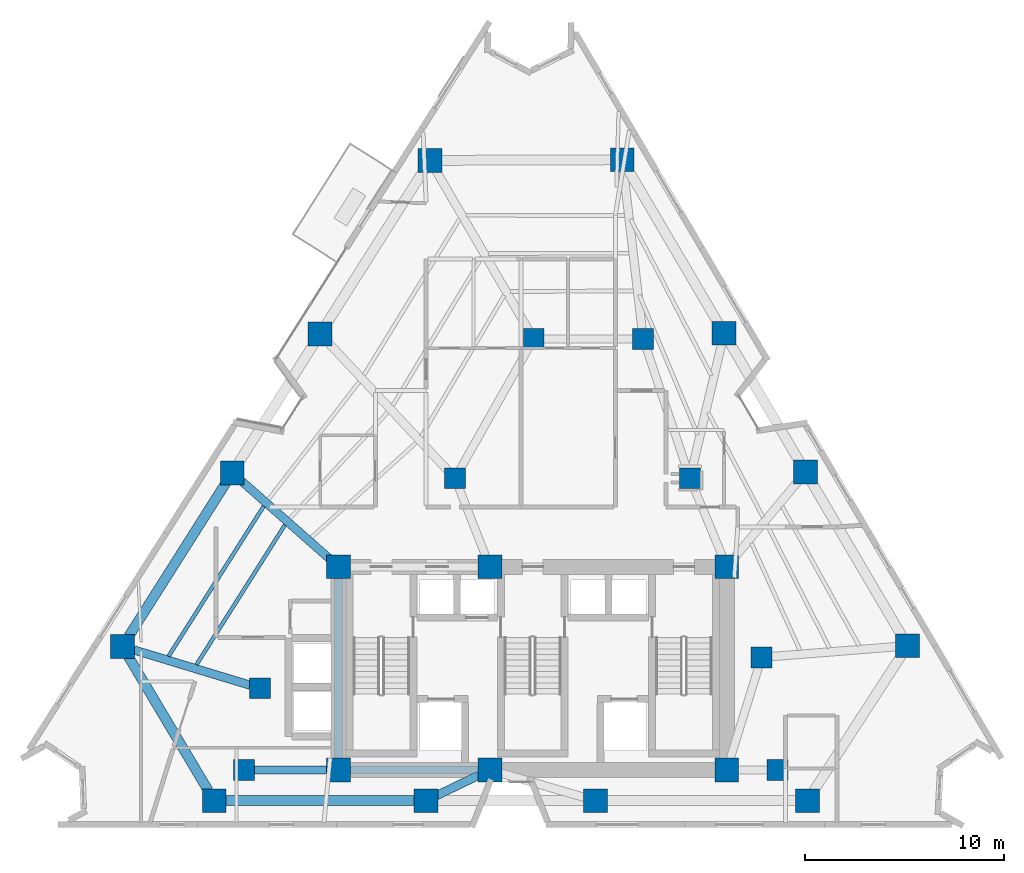
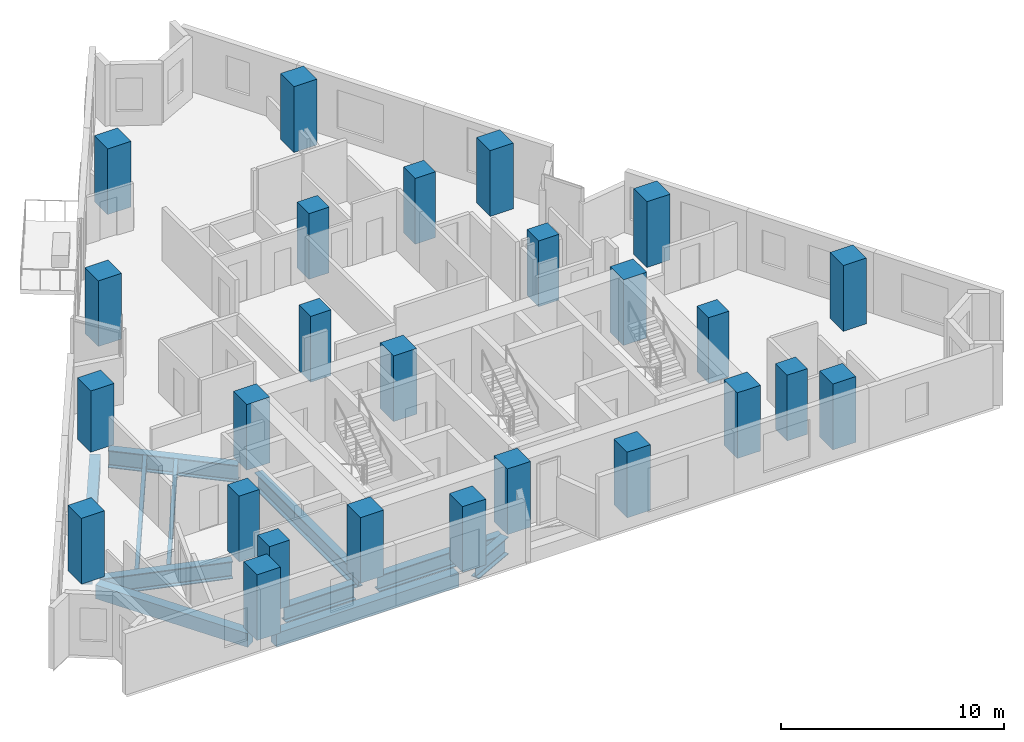
# One storey, part 1 of 11: 26 columns, 11 beams.
"""IFC4 building model written with IfcOpenShell, lengths in metres."""

import ifcopenshell
import ifcopenshell.guid

model = None  # the IFC model being written
_history = None  # IfcOwnerHistory: only IFC2X3 demands one
_inside = {}  # id of a spatial element -> (the spatial element, [elements in it])
_under = {}  # id of a project, library or spatial element -> (it, [spatial elements below it])
_declared = {}  # id of a project -> (the project, [libraries it declares])
_typed = {}  # id of a type object -> (the type object, [elements of that type])
_made_of = {}  # id of a material, layer set ... -> (it, [elements and type objects made of it])


def new_model(schema):
    """Start an empty IFC model of exactly this schema.

    Asked for "IFC4X3", IfcOpenShell would pick the latest addendum, in which some entities
    have other attributes; the version numbers below select the first issue.
    IFC2X3 requires an IfcOwnerHistory on every rooted entity: one is made here for all.
    """
    global model, _history
    if schema == "IFC4X3":
        model = ifcopenshell.file(schema_version=(4, 3, 0, 0))
    else:
        model = ifcopenshell.file(schema=schema)
    _inside.clear()
    _under.clear()
    _declared.clear()
    _typed.clear()
    _made_of.clear()
    _history = None
    if model.schema == "IFC2X3":
        org = make("IfcOrganization", Name="unknown")
        user = make(
            "IfcPersonAndOrganization",
            ThePerson=make("IfcPerson", FamilyName="unknown"),
            TheOrganization=org,
        )
        app = make(
            "IfcApplication",
            ApplicationDeveloper=org,
            Version="unknown",
            ApplicationFullName="unknown",
            ApplicationIdentifier="unknown",
        )
        _history = make(
            "IfcOwnerHistory",
            OwningUser=user,
            OwningApplication=app,
            ChangeAction="ADDED",
            CreationDate=0,
        )
    return model


def make(cls, **values):
    """One entity of the class cls with the attributes given. An attribute that is None is left unset."""
    return model.create_entity(
        cls, **{name: value for name, value in values.items() if value is not None}
    )


def rooted(cls, **values):
    """An entity with a GlobalId (a new one), such as an element, a storey or a relation."""
    return make(cls, GlobalId=ifcopenshell.guid.new(), OwnerHistory=_history, **values)


def si_unit(unit_type, name, prefix=None):
    """IfcSIUnit, for example si_unit("LENGTHUNIT", "METRE", prefix="MILLI")."""
    return make("IfcSIUnit", UnitType=unit_type, Prefix=prefix, Name=name)


def assignment(units):
    """IfcUnitAssignment: the units of a project."""
    return None if units is None else make("IfcUnitAssignment", Units=units)


def point(xyz):
    """IfcCartesianPoint."""
    return None if xyz is None else make("IfcCartesianPoint", Coordinates=xyz)


def direction(xyz):
    """IfcDirection."""
    return None if xyz is None else make("IfcDirection", DirectionRatios=xyz)


def frame(location, z_axis=None, x_axis=None):
    """IfcAxis2Placement3D, a coordinate frame: its origin and axes. An axis left out is left unset."""
    return make(
        "IfcAxis2Placement3D",
        Location=point(location),
        Axis=direction(z_axis),
        RefDirection=direction(x_axis),
    )


def frame_2d(location, x_axis=None):
    """IfcAxis2Placement2D, a coordinate frame in the plane: its origin and x axis."""
    return make(
        "IfcAxis2Placement2D", Location=point(location), RefDirection=direction(x_axis)
    )


def origin():
    """The frame at (0, 0, 0) with its axes left unset."""
    return frame((0.0, 0.0, 0.0))


def origin_2d():
    """The frame at (0, 0) in the plane with its x axis left unset."""
    return frame_2d((0.0, 0.0))


def place(relative_to, where):
    """IfcLocalPlacement: puts the frame where relative to a parent placement (None: the world)."""
    return make(
        "IfcLocalPlacement", PlacementRelTo=relative_to, RelativePlacement=where
    )


def context(
    kind, dimensions, precision=None, world=None, true_north=None, identifier=None
):
    """IfcGeometricRepresentationContext, for example the 3D "Model" context."""
    return make(
        "IfcGeometricRepresentationContext",
        ContextIdentifier=identifier,
        ContextType=kind,
        CoordinateSpaceDimension=dimensions,
        Precision=precision,
        WorldCoordinateSystem=world,
        TrueNorth=true_north,
    )


def subcontext(parent, identifier, kind, view, scale=None):
    """IfcGeometricRepresentationSubContext, for example "Body" below "Model"."""
    return make(
        "IfcGeometricRepresentationSubContext",
        ContextIdentifier=identifier,
        ContextType=kind,
        ParentContext=parent,
        TargetScale=scale,
        TargetView=view,
    )


def project(units=None, contexts=None):
    """IfcProject with its units and contexts."""
    return rooted(
        "IfcProject",
        Name="project",
        RepresentationContexts=contexts,
        UnitsInContext=assignment(units),
    )


def spatial(cls, under=None, at=None, **own):
    """A site, building, storey or space (cls), placed at a placement, below another one or the project."""
    s = rooted(cls, ObjectPlacement=at, **own)
    if under is not None:
        _under.setdefault(under.id(), (under, []))[1].append(s)
    return s


def profile(cls, at=None, kind="AREA", **sizes):
    """A parametric profile (cls). Its sizes go by their IFC names, for example OverallWidth=200.0."""
    return make(cls, ProfileType=kind, Position=at, **sizes)


def rectangle(**sizes):
    """IfcRectangleProfileDef."""
    return profile("IfcRectangleProfileDef", **sizes)


def i_section(**sizes):
    """IfcIShapeProfileDef."""
    return profile("IfcIShapeProfileDef", **sizes)


def extrude(swept, where, along, depth):
    """IfcExtrudedAreaSolid: the profile swept, set in the frame where, extruded along a direction by depth."""
    return make(
        "IfcExtrudedAreaSolid",
        SweptArea=swept,
        Position=where,
        ExtrudedDirection=direction(along),
        Depth=depth,
    )


def shape(context_of_items, identifier, shape_type, items):
    """IfcShapeRepresentation: the items that make up one representation, for example the "Body"."""
    return make(
        "IfcShapeRepresentation",
        ContextOfItems=context_of_items,
        RepresentationIdentifier=identifier,
        RepresentationType=shape_type,
        Items=items,
    )


def material(Name=None, Category=None):
    """IfcMaterial."""
    return make("IfcMaterial", Name=Name, Category=Category)


def material_profile(
    of_material, cross_section, Name=None, Category=None, Priority=None
):
    """IfcMaterialProfile: a cross section and its material."""
    return make(
        "IfcMaterialProfile",
        Name=Name,
        Material=of_material,
        Profile=cross_section,
        Priority=Priority,
        Category=Category,
    )


def profile_set(profiles, Name=None, composite=None):
    """IfcMaterialProfileSet."""
    return make(
        "IfcMaterialProfileSet",
        Name=Name,
        MaterialProfiles=profiles,
        CompositeProfile=composite,
    )


def made_of(thing, what):
    """Note that an element or type object is made of a material, layer set ...; save() writes the relation."""
    if what is not None:
        _made_of.setdefault(what.id(), (what, []))[1].append(thing)
    return thing


def type_object(cls, material=None, **own):
    """A type object (cls), such as IfcWallType, which elements share."""
    return made_of(rooted(cls, **own), material)


def element(
    cls,
    number,
    at=None,
    inside=None,
    cuts=None,
    type_object=None,
    material=None,
    context=None,
    identifier="Body",
    shape_type=None,
    held_by="IfcProductDefinitionShape",
    body=None,
    shapes=None,
    **own,
):
    """One element of the class cls, such as IfcWall. Its Tag is "e" and its number.

    at: its placement. inside: the storey or other place that contains it. cuts: it is an
    opening in that element (IfcRelVoidsElement). A single representation is given by context,
    identifier, shape_type and body (its items); several are given by shapes. held_by: the class
    of the entity that holds the representations. save() writes the other relations.
    """
    e = rooted(cls, Tag="e%d" % number, ObjectPlacement=at, **own)
    if body is not None:
        shapes = [shape(context, identifier, shape_type, body)]
    if shapes is not None:
        e.Representation = make(held_by, Representations=shapes)
    if inside is not None:
        _inside.setdefault(inside.id(), (inside, []))[1].append(e)
    if cuts is not None:
        rooted(
            "IfcRelVoidsElement", RelatingBuildingElement=cuts, RelatedOpeningElement=e
        )
    if type_object is not None:
        _typed.setdefault(type_object.id(), (type_object, []))[1].append(e)
    return made_of(e, material)


def aggregate(whole, parts):
    """IfcRelAggregates: a whole, such as a stair, and the parts it consists of."""
    return rooted("IfcRelAggregates", RelatingObject=whole, RelatedObjects=parts)


def save(model, path):
    """Write the relations noted so far, then the file.

    IfcRelAggregates (storeys below a building ...), IfcRelContainedInSpatialStructure (elements
    in a storey), IfcRelDefinesByType, IfcRelAssociatesMaterial and IfcRelDeclares: one each for
    every whole, place, type object, material and project.
    """
    for whole, parts in _under.values():
        aggregate(whole, parts)
    for where, things in _inside.values():
        rooted(
            "IfcRelContainedInSpatialStructure",
            RelatedElements=things,
            RelatingStructure=where,
        )
    for kind, things in _typed.values():
        rooted("IfcRelDefinesByType", RelatedObjects=things, RelatingType=kind)
    for what, things in _made_of.values():
        rooted("IfcRelAssociatesMaterial", RelatedObjects=things, RelatingMaterial=what)
    for by, libraries in _declared.values():
        rooted("IfcRelDeclares", RelatingContext=by, RelatedDefinitions=libraries)
    model.write(path)


model = new_model("IFC4")

# Units and contexts
model_context = context("Model", 3, precision=1e-05, world=origin(), true_north=direction((0.0, 1.0)))
body_context = subcontext(model_context, "Body", "Model", "MODEL_VIEW")
ifc_project = project(units=[si_unit("LENGTHUNIT", "METRE"), si_unit("AREAUNIT", "SQUARE_METRE"), si_unit("VOLUMEUNIT", "CUBIC_METRE"), si_unit("PLANEANGLEUNIT", "RADIAN"), si_unit("MASSUNIT", "GRAM", prefix="KILO")], contexts=[model_context])

# Site, building, storey
site_placement = place(None, origin())
site = spatial("IfcSite", under=ifc_project, at=site_placement, CompositionType="ELEMENT")
building_placement = place(site_placement, origin())
building = spatial("IfcBuilding", under=site, at=building_placement, Name="Almagre Mirador Tower", CompositionType="ELEMENT")
storey_placement = place(building_placement, frame((0.0, 0.0, 128.39990234375)))
storey = spatial("IfcBuildingStorey", under=building, at=storey_placement, Name="L32", CompositionType="ELEMENT", Elevation=128.39990234375)

# Columns
ifc_material_1 = material(Name="Concrete C60/75", Category="concrete")
ifc_material_profile_1 = material_profile(ifc_material_1, rectangle(XDim=1.050048828125, YDim=1.050048828125, at=origin_2d()), Name="RC1050X1050")
ifc_profile_set_1 = profile_set([ifc_material_profile_1], Name="Concrete C60/75")
column_type_1 = type_object("IfcColumnType", Name="COL-RC1050", PredefinedType="COLUMN", material=ifc_profile_set_1)
for number, where, z_axis, x_axis, name in (
    (1, (22.800048828125, 4.550048828125, 0.0), (0.0, 0.0, 1.0), (1.0, 0.0, 0.0), "L32 interior transfer column MC1"),
    (2, (49.60009765625, 4.550048828125, 0.0), (0.0, 0.0, 1.0), (1.0, 0.0, 0.0), "L32 interior transfer column MC2"),
    (3, (48.800048828125, 10.199951171875, 0.0), (0.0, 0.0, 1.0), (1.0, 0.0, 0.0), "L32 interior transfer column MC3"),
    (4, (45.199951171875, 19.199951171875, 0.0), (0.0, 0.0, 1.0), (1.0, 0.0, 0.0), "L32 interior transfer column MC5"),
    (5, (42.85009765625, 26.199951171875, 0.0), (0.0, 0.0, 1.0), (1.0, 0.0, 0.0), "L32 interior transfer column MC6"),
    (6, (37.35009765625, 26.199951171875, 0.0), (0.0, 0.0, 1.0), (1.0, 0.0, 0.0), "L32 interior transfer column MC7"),
    (7, (33.39990234375, 19.199951171875, 0.0), (0.0, 0.0, 1.0), (1.0, 0.0, 0.0), "L32 interior transfer column MC8"),
    (8, (23.60009765625, 8.64990234375, 0.0), (0.0, 0.0, 1.0), (1.0, 0.0, 0.0), "L32 interior transfer column MC10"),
):
    element("IfcColumn", number, at=place(storey_placement, frame(where, z_axis=z_axis, x_axis=x_axis)), inside=storey, type_object=column_type_1, Name=name, PredefinedType="COLUMN", context=body_context, shape_type="SweptSolid", body=[
        extrude(rectangle(XDim=1.050048828125, YDim=1.050048828125, at=origin_2d()), origin(), (0.0, 0.0, 1.0), 3.60009765625),
    ])
ifc_material_2 = material(Name="Concrete C60/75", Category="concrete")
ifc_material_profile_2 = material_profile(ifc_material_2, rectangle(XDim=1.199951171875, YDim=1.199951171875, at=origin_2d()), Name="RC1200X1200")
ifc_profile_set_2 = profile_set([ifc_material_profile_2], Name="Concrete C60/75")
column_type_2 = type_object("IfcColumnType", Name="COL-RC1200", PredefinedType="COLUMN", material=ifc_profile_set_2)
for number, where, z_axis, x_axis, name in (
    (9, (27.550048828125, 4.550048828125, 0.0), (0.0, 0.0, 1.0), (1.0, 0.0, 0.0), "L32 core spine column CC1"),
    (10, (35.14990234375, 4.550048828125, 0.0), (0.0, 0.0, 1.0), (1.0, 0.0, 0.0), "L32 core spine column CC2"),
    (11, (47.050048828125, 4.550048828125, 0.0), (0.0, 0.0, 1.0), (1.0, 0.0, 0.0), "L32 core spine column CC3"),
    (12, (27.550048828125, 14.75, 0.0), (0.0, 0.0, 1.0), (1.0, 0.0, 0.0), "L32 core spine column CC4"),
    (13, (35.14990234375, 14.75, 0.0), (0.0, 0.0, 1.0), (1.0, 0.0, 0.0), "L32 core spine column CC5"),
    (14, (47.050048828125, 14.75, 0.0), (0.0, 0.0, 1.0), (1.0, 0.0, 0.0), "L32 core spine column CC6"),
    (15, (21.303955078125, 3.0, 0.0), (0.0, 0.0, 1.0), (1.0, 0.0, 0.0), "L32 perimeter column PC01"),
    (16, (31.944091796875, 3.0, 0.0), (0.0, 0.0, 1.0), (1.0, 0.0, 0.0), "L32 perimeter column PC02"),
    (17, (40.4560546875, 3.0, 0.0), (0.0, 0.0, 1.0), (1.0, 0.0, 0.0), "L32 perimeter column PC03"),
    (18, (51.095947265625, 3.0, 0.0), (0.0, 0.0, 1.0), (1.0, 0.0, 0.0), "L32 perimeter column PC04"),
    (19, (56.133056640625, 10.783935546875, 0.0), (0.0, 0.0, 1.0), (1.0, 0.0, 0.0), "L32 perimeter column PC05"),
    (20, (51.012939453125, 19.50390625, 0.0), (0.0, 0.0, 1.0), (1.0, 0.0, 0.0), "L32 perimeter column PC06"),
    (21, (46.9169921875, 26.47998046875, 0.0), (0.0, 0.0, 1.0), (1.0, 0.0, 0.0), "L32 perimeter column PC07"),
    (22, (41.797119140625, 35.199951171875, 0.0), (0.0, 0.0, 1.0), (1.0, 0.0, 0.0), "L32 perimeter column PC08"),
    (23, (32.14208984375, 35.166015625, 0.0), (0.0, 0.0, 1.0), (1.0, 0.0, 0.0), "L32 perimeter column PC09"),
    (24, (26.6220703125, 26.446044921875, 0.0), (0.0, 0.0, 1.0), (1.0, 0.0, 0.0), "L32 perimeter column PC10"),
):
    element("IfcColumn", number, at=place(storey_placement, frame(where, z_axis=z_axis, x_axis=x_axis)), inside=storey, type_object=column_type_2, Name=name, PredefinedType="COLUMN", context=body_context, shape_type="SweptSolid", body=[
        extrude(rectangle(XDim=1.199951171875, YDim=1.199951171875, at=origin_2d()), origin(), (0.0, 0.0, 1.0), 3.60009765625),
    ])
column_1_placement = place(storey_placement, frame((22.2060546875, 19.469970703125, 0.0), z_axis=(0.0, 0.0, 1.0), x_axis=(1.0, 0.0, 0.0)))
element("IfcColumn", 25, at=column_1_placement, inside=storey, type_object=column_type_2, Name="L32 perimeter column PC11", PredefinedType="COLUMN", context=body_context, shape_type="SweptSolid", body=[
    extrude(rectangle(XDim=1.199951171875, YDim=1.199951171875, at=origin_2d()), origin(), (0.0, 0.0, 1.0), 3.35009765625),
])
column_2_placement = place(storey_placement, frame((16.68603515625, 10.75, 0.0), z_axis=(0.0, 0.0, 1.0), x_axis=(1.0, 0.0, 0.0)))
element("IfcColumn", 26, at=column_2_placement, inside=storey, type_object=column_type_2, Name="L32 perimeter column PC12", PredefinedType="COLUMN", context=body_context, shape_type="SweptSolid", body=[
    extrude(rectangle(XDim=1.199951171875, YDim=1.199951171875, at=origin_2d()), origin(), (0.0, 0.0, 1.0), 3.60009765625),
])

# Beams
ifc_material_3 = material(Name="Steel ASTM A992 Grade 50", Category="steel")
ifc_material_profile_3 = material_profile(ifc_material_3, i_section(OverallWidth=0.19091796875, OverallDepth=0.4599609375, WebThickness=0.010009765625, FlangeThickness=0.01611328125, FilletRadius=0.01611328125, at=origin_2d()), Name="W18X55")
ifc_profile_set_3 = profile_set([ifc_material_profile_3], Name="Steel ASTM A992 Grade 50")
beam_type_1 = type_object("IfcBeamType", Name="BM-JST-W18X55", PredefinedType="JOIST", material=ifc_profile_set_3)
beam_1_placement = place(storey_placement, frame((23.786865234375, 17.794921875, -0.47998046875), z_axis=(-0.535495866199, -0.844537848343, 0.0), x_axis=(0.844537848343, -0.535495866199, 0.0)))
element("IfcBeam", 27, at=beam_1_placement, inside=storey, type_object=beam_type_1, Name="L32 secondary floor joist PC11-PC12.1", PredefinedType="JOIST", context=body_context, shape_type="SweptSolid", body=[
    extrude(i_section(OverallWidth=0.19091796875, OverallDepth=0.4599609375, WebThickness=0.010009765625, FlangeThickness=0.01611328125, FilletRadius=0.01611328125, at=origin_2d()), origin(), (0.0, 0.0, 1.0), 8.924560546875),
])
beam_2_placement = place(storey_placement, frame((24.853759765625, 16.852783203125, -0.47998046875), z_axis=(-0.534944431022, -0.844887244382, 0.0), x_axis=(0.844887244382, -0.534944431022, 0.0)))
element("IfcBeam", 28, at=beam_2_placement, inside=storey, type_object=beam_type_1, Name="L32 secondary floor joist PC11-PC12.2", PredefinedType="JOIST", context=body_context, shape_type="SweptSolid", body=[
    extrude(i_section(OverallWidth=0.19091796875, OverallDepth=0.4599609375, WebThickness=0.010009765625, FlangeThickness=0.01611328125, FilletRadius=0.01611328125, at=origin_2d()), origin(), (0.0, 0.0, 1.0), 8.309326171875),
])
ifc_material_4 = material(Name="Precast concrete C50/60", Category="concrete")
ifc_material_profile_4 = material_profile(ifc_material_4, rectangle(XDim=0.5, YDim=0.75, at=origin_2d()), Name="RC500X750")
ifc_profile_set_4 = profile_set([ifc_material_profile_4], Name="Precast concrete C50/60")
beam_type_2 = type_object("IfcBeamType", Name="BM-SPN-RC500X750", PredefinedType="SPANDREL", material=ifc_profile_set_4)
beam_3_placement = place(storey_placement, frame((21.904052734375, 3.0, -0.625), z_axis=(1.0, 0.0, 0.0), x_axis=(0.0, 1.0, 0.0)))
element("IfcBeam", 29, at=beam_3_placement, inside=storey, type_object=beam_type_2, Name="L32 perimeter spandrel beam PC01-PC02", PredefinedType="SPANDREL", context=body_context, shape_type="SweptSolid", body=[
    extrude(rectangle(XDim=0.5, YDim=0.75, at=origin_2d()), origin(), (0.0, 0.0, 1.0), 9.43994140625),
])
beam_4_placement = place(storey_placement, frame((21.885009765625, 18.962890625, -0.625), z_axis=(-0.534882027559, -0.844926752207, 0.0), x_axis=(0.844926752207, -0.534882027559, 0.0)))
element("IfcBeam", 30, at=beam_4_placement, inside=storey, type_object=beam_type_2, Name="L32 perimeter spandrel beam PC11-PC12", PredefinedType="SPANDREL", context=body_context, shape_type="SweptSolid", body=[
    extrude(rectangle(XDim=0.5, YDim=0.75, at=origin_2d()), origin(), (0.0, 0.0, 1.0), 9.1201171875),
])
beam_5_placement = place(storey_placement, frame((16.9931640625, 10.234619140625, -0.625), z_axis=(0.511872325073, -0.85906153611, 0.0), x_axis=(0.85906153611, 0.511872325073, 0.0)))
element("IfcBeam", 31, at=beam_5_placement, inside=storey, type_object=beam_type_2, Name="L32 perimeter spandrel beam PC12-PC01", PredefinedType="SPANDREL", context=body_context, shape_type="SweptSolid", body=[
    extrude(rectangle(XDim=0.5, YDim=0.75, at=origin_2d()), origin(), (0.0, 0.0, 1.0), 7.821533203125),
])
ifc_material_5 = material(Name="Steel ASTM A992 Grade 50", Category="steel")
ifc_material_profile_5 = material_profile(ifc_material_5, i_section(OverallWidth=0.404052734375, OverallDepth=0.884033203125, WebThickness=0.0244140625, FlangeThickness=0.0439453125, FilletRadius=0.02490234375, at=origin_2d()), Name="W33X291")
ifc_profile_set_5 = profile_set([ifc_material_profile_5], Name="Steel ASTM A992 Grade 50")
beam_type_3 = type_object("IfcBeamType", Name="BM-STL-W33X291", PredefinedType="BEAM", material=ifc_profile_set_5)
beam_6_placement = place(storey_placement, frame((28.14990234375, 4.550048828125, -0.69189453125), z_axis=(1.0, 0.0, 0.0), x_axis=(0.0, 1.0, 0.0)))
element("IfcBeam", 32, at=beam_6_placement, inside=storey, type_object=beam_type_3, Name="L32 core tie girder CC1-CC2", PredefinedType="BEAM", context=body_context, shape_type="SweptSolid", body=[
    extrude(i_section(OverallWidth=0.404052734375, OverallDepth=0.884033203125, WebThickness=0.0244140625, FlangeThickness=0.0439453125, FilletRadius=0.02490234375, at=origin_2d()), origin(), (0.0, 0.0, 1.0), 6.400146484375),
])
beam_7_placement = place(storey_placement, frame((27.550048828125, 5.14990234375, -0.69189453125), z_axis=(0.0, 1.0, 0.0), x_axis=(-1.0, 0.0, 0.0)))
element("IfcBeam", 33, at=beam_7_placement, inside=storey, type_object=beam_type_3, Name="L32 core tie girder CC1-CC4", PredefinedType="BEAM", context=body_context, shape_type="SweptSolid", body=[
    extrude(i_section(OverallWidth=0.404052734375, OverallDepth=0.884033203125, WebThickness=0.0244140625, FlangeThickness=0.0439453125, FilletRadius=0.02490234375, at=origin_2d()), origin(), (0.0, 0.0, 1.0), 9.0),
])
beam_8_placement = place(storey_placement, frame((23.324951171875, 4.550048828125, -0.69189453125), z_axis=(1.0, 0.0, 0.0), x_axis=(0.0, 1.0, 0.0)))
element("IfcBeam", 34, at=beam_8_placement, inside=storey, type_object=beam_type_3, Name="L32 core tie girder MC1-CC1", PredefinedType="BEAM", context=body_context, shape_type="SweptSolid", body=[
    extrude(i_section(OverallWidth=0.404052734375, OverallDepth=0.884033203125, WebThickness=0.0244140625, FlangeThickness=0.0439453125, FilletRadius=0.02490234375, at=origin_2d()), origin(), (0.0, 0.0, 1.0), 3.625),
])
ifc_material_6 = material(Name="Steel ASTM A992 Grade 50", Category="steel")
ifc_material_profile_6 = material_profile(ifc_material_6, i_section(OverallWidth=0.423095703125, OverallDepth=0.947998046875, WebThickness=0.02392578125, FlangeThickness=0.042724609375, FilletRadius=0.028076171875, at=origin_2d()), Name="W36X302")
ifc_profile_set_6 = profile_set([ifc_material_profile_6], Name="Steel ASTM A992 Grade 50")
beam_type_4 = type_object("IfcBeamType", Name="BM-STL-W36X302", PredefinedType="BEAM", material=ifc_profile_set_6)
beam_9_placement = place(storey_placement, frame((32.484130859375, 3.26123046875, -0.723876953125), z_axis=(0.900323968092, 0.435220349339, 0.0), x_axis=(-0.435220349339, 0.900323968092, 0.0)))
element("IfcBeam", 35, at=beam_9_placement, inside=storey, type_object=beam_type_4, Name="L32 radial floor girder PC02-CC2", PredefinedType="BEAM", context=body_context, shape_type="SweptSolid", body=[
    extrude(i_section(OverallWidth=0.423095703125, OverallDepth=0.947998046875, WebThickness=0.02392578125, FlangeThickness=0.042724609375, FilletRadius=0.028076171875, at=origin_2d()), origin(), (0.0, 0.0, 1.0), 2.361083984375),
])
beam_10_placement = place(storey_placement, frame((22.65576171875, 19.07275390625, -0.723876953125), z_axis=(0.749515768673, -0.661986489673, 0.0), x_axis=(0.661986489673, 0.749515768673, 0.0)))
element("IfcBeam", 36, at=beam_10_placement, inside=storey, type_object=beam_type_4, Name="L32 radial floor girder PC11-CC4", PredefinedType="BEAM", context=body_context, shape_type="SweptSolid", body=[
    extrude(i_section(OverallWidth=0.423095703125, OverallDepth=0.947998046875, WebThickness=0.02392578125, FlangeThickness=0.042724609375, FilletRadius=0.028076171875, at=origin_2d()), origin(), (0.0, 0.0, 1.0), 5.929931640625),
])
beam_11_placement = place(storey_placement, frame((17.260009765625, 10.57568359375, -0.723876953125), z_axis=(0.95683269583, -0.290639281913, 0.0), x_axis=(0.290639281913, 0.95683269583, 0.0)))
element("IfcBeam", 37, at=beam_11_placement, inside=storey, type_object=beam_type_4, Name="L32 radial floor girder PC12-MC10", PredefinedType="BEAM", context=body_context, shape_type="SweptSolid", body=[
    extrude(i_section(OverallWidth=0.423095703125, OverallDepth=0.947998046875, WebThickness=0.02392578125, FlangeThickness=0.042724609375, FilletRadius=0.028076171875, at=origin_2d()), origin(), (0.0, 0.0, 1.0), 6.10107421875),
])

save(model, "model.ifc")
